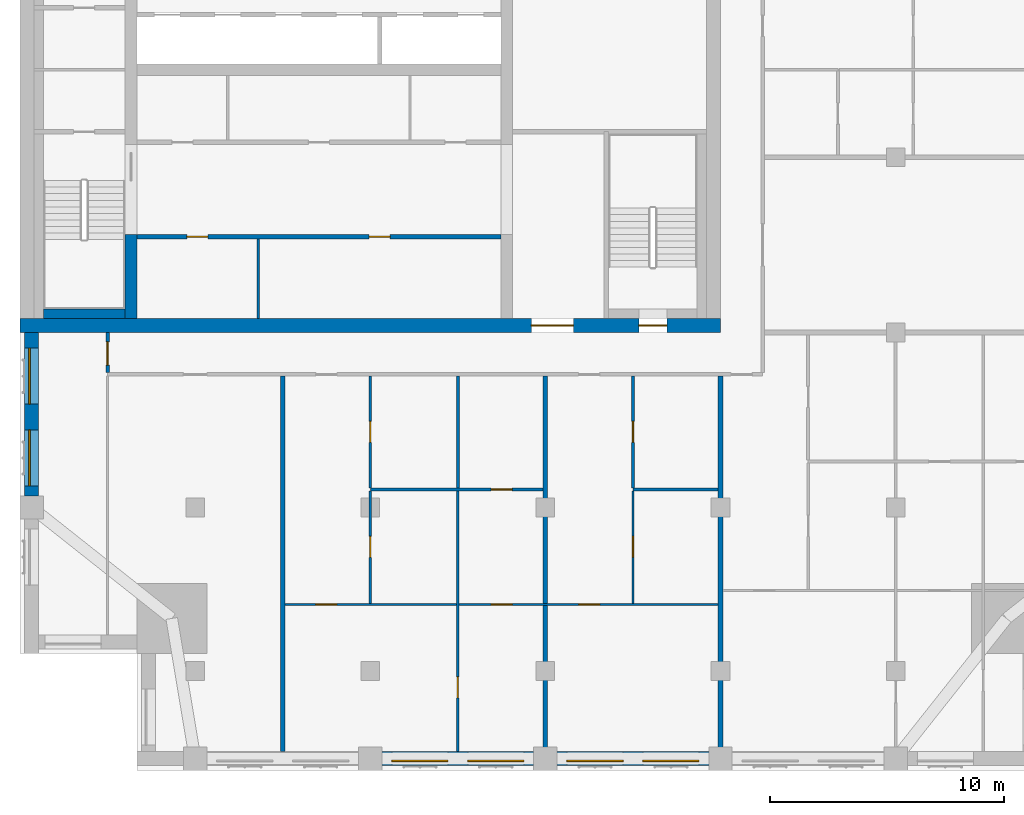
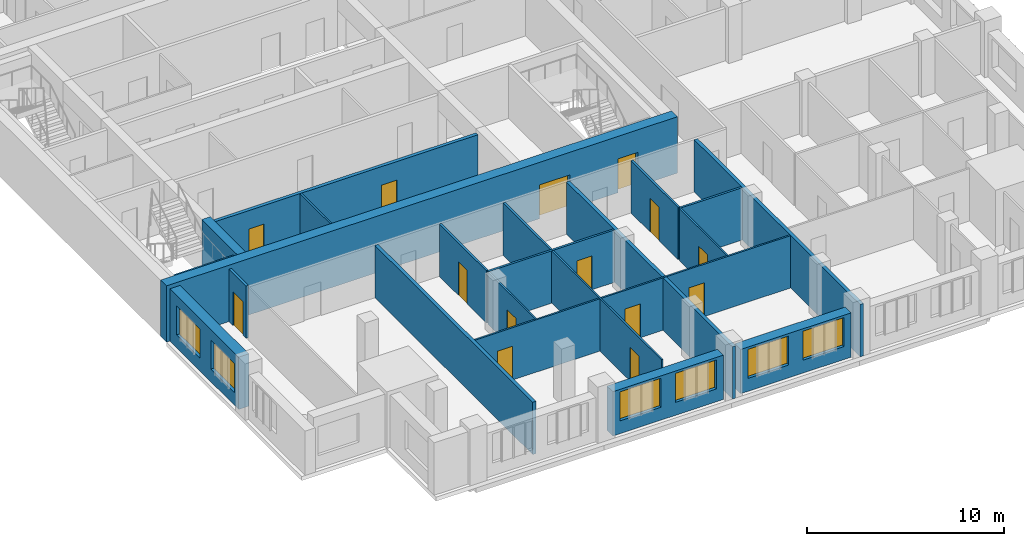
# One storey, part 3 of 11: 21 walls, 14 doors, 6 windows, 20 openings.
"""IFC4 building model written with IfcOpenShell, lengths in metres."""

from ifc_helpers import new_model, si_unit, direction, frame, frame_2d, origin, place, context, subcontext, project, spatial, rectangle, extrude, material, layer, layer_set, type_object, element, fill, save


model = new_model("IFC4")

# Units and contexts
model_context = context("Model", 3, precision=1e-05, world=origin(), true_north=direction((0.0, 1.0)))
body_context = subcontext(model_context, "Body", "Model", "MODEL_VIEW")
ifc_project = project(units=[si_unit("LENGTHUNIT", "METRE"), si_unit("AREAUNIT", "SQUARE_METRE"), si_unit("VOLUMEUNIT", "CUBIC_METRE"), si_unit("PLANEANGLEUNIT", "RADIAN"), si_unit("MASSUNIT", "GRAM", prefix="KILO")], contexts=[model_context])

# Site, building, storey
site_placement = place(None, origin())
site = spatial("IfcSite", under=ifc_project, at=site_placement, CompositionType="ELEMENT")
building_placement = place(site_placement, origin())
building = spatial("IfcBuilding", under=site, at=building_placement, Name="Tamorin Gate", CompositionType="ELEMENT")
storey_placement = place(building_placement, frame((0.0, 0.0, 247.699951171875)))
storey = spatial("IfcBuildingStorey", under=building, at=storey_placement, Name="L62", CompositionType="ELEMENT", Elevation=247.699951171875)

# Wall, openings, windows
ifc_material_1 = material(Name="Precast concrete C40/50", Category="concrete")
ifc_layer_1 = layer(ifc_material_1, 0.60009765625)
ifc_layer_set_1 = layer_set([ifc_layer_1], Name="Precast concrete C40/50")
wall_type_1 = type_object("IfcWallType", Name="Board-marked concrete facade panel 600", PredefinedType="SOLIDWALL", material=ifc_layer_set_1)
wall_1_placement = place(storey_placement, frame((45.5, 41.75, 0.0), z_axis=(0.0, 0.0, 1.0), x_axis=(1.0, 0.0, 0.0)))
wall_1 = element("IfcWall", 1, at=wall_1_placement, inside=storey, type_object=wall_type_1, Name="Facade panel", PredefinedType="SOLIDWALL", context=body_context, shape_type="SweptSolid", body=[
    extrude(rectangle(XDim=6.5, YDim=0.60009765625, at=frame_2d((3.25, 0.0))), origin(), (0.0, 0.0, 1.0), 2.75),
])
opening_1_placement = place(wall_1_placement, frame((0.425048828125, 0.0, 0.800048828125)))
opening_1 = element("IfcOpeningElement", 2, at=opening_1_placement, cuts=wall_1, Name="Opening WN1", PredefinedType="OPENING", context=body_context, shape_type="SweptSolid", body=[
    extrude(rectangle(XDim=2.39990234375, YDim=1.800048828125, at=frame_2d((1.199951171875, 0.89990234375))), frame((0.0, 0.31005859375, 0.0), z_axis=(0.0, -1.0, 0.0), x_axis=(1.0, 0.0, 0.0)), (0.0, 0.0, 1.0), 0.6201171875),
])
opening_2_placement = place(wall_1_placement, frame((3.675048828125, 0.0, 0.800048828125)))
opening_2 = element("IfcOpeningElement", 3, at=opening_2_placement, cuts=wall_1, Name="Opening WN1", PredefinedType="OPENING", context=body_context, shape_type="SweptSolid", body=[
    extrude(rectangle(XDim=2.39990234375, YDim=1.800048828125, at=frame_2d((1.199951171875, 0.89990234375))), frame((0.0, 0.31005859375, 0.0), z_axis=(0.0, -1.0, 0.0), x_axis=(1.0, 0.0, 0.0)), (0.0, 0.0, 1.0), 0.6201171875),
])
ifc_material_2 = material(Name="Clear glass in aluminium frame", Category="aluminium")
window_type = type_object("IfcWindowType", Name="Deep-set window 2400x1800", PartitioningType="SINGLE_PANEL", PredefinedType="WINDOW", material=ifc_material_2)
window_1_placement = place(opening_1_placement, origin())
window_1 = element("IfcWindow", 4, at=window_1_placement, inside=storey, type_object=window_type, Name="Deep-set window", OverallHeight=1.800048828125, OverallWidth=2.39990234375, PartitioningType="SINGLE_PANEL", PredefinedType="WINDOW", context=body_context, shape_type="SweptSolid", body=[
    extrude(rectangle(XDim=2.39990234375, YDim=1.800048828125, at=frame_2d((1.199951171875, 0.89990234375))), frame((0.0, -0.070068359375, 0.0), z_axis=(0.0, -1.0, 0.0), x_axis=(1.0, 0.0, 0.0)), (0.0, 0.0, 1.0), 0.06005859375),
])
fill(opening_1, window_1)
window_2_placement = place(opening_2_placement, origin())
window_2 = element("IfcWindow", 5, at=window_2_placement, inside=storey, type_object=window_type, Name="Deep-set window", OverallHeight=1.800048828125, OverallWidth=2.39990234375, PartitioningType="SINGLE_PANEL", PredefinedType="WINDOW", context=body_context, shape_type="SweptSolid", body=[
    extrude(rectangle(XDim=2.39990234375, YDim=1.800048828125, at=frame_2d((1.199951171875, 0.89990234375))), frame((0.0, -0.070068359375, 0.0), z_axis=(0.0, -1.0, 0.0), x_axis=(1.0, 0.0, 0.0)), (0.0, 0.0, 1.0), 0.06005859375),
])
fill(opening_2, window_2)

wall_2_placement = place(storey_placement, frame((53.0, 41.75, 0.0), z_axis=(0.0, 0.0, 1.0), x_axis=(1.0, 0.0, 0.0)))
wall_2 = element("IfcWall", 6, at=wall_2_placement, inside=storey, type_object=wall_type_1, Name="Facade panel", PredefinedType="SOLIDWALL", context=body_context, shape_type="SweptSolid", body=[
    extrude(rectangle(XDim=6.5, YDim=0.60009765625, at=frame_2d((3.25, 0.0))), origin(), (0.0, 0.0, 1.0), 2.75),
])
opening_3_placement = place(wall_2_placement, frame((0.425048828125, 0.0, 0.800048828125)))
opening_3 = element("IfcOpeningElement", 7, at=opening_3_placement, cuts=wall_2, Name="Opening WN1", PredefinedType="OPENING", context=body_context, shape_type="SweptSolid", body=[
    extrude(rectangle(XDim=2.39990234375, YDim=1.800048828125, at=frame_2d((1.199951171875, 0.89990234375))), frame((0.0, 0.31005859375, 0.0), z_axis=(0.0, -1.0, 0.0), x_axis=(1.0, 0.0, 0.0)), (0.0, 0.0, 1.0), 0.6201171875),
])
opening_4_placement = place(wall_2_placement, frame((3.675048828125, 0.0, 0.800048828125)))
opening_4 = element("IfcOpeningElement", 8, at=opening_4_placement, cuts=wall_2, Name="Opening WN1", PredefinedType="OPENING", context=body_context, shape_type="SweptSolid", body=[
    extrude(rectangle(XDim=2.39990234375, YDim=1.800048828125, at=frame_2d((1.199951171875, 0.89990234375))), frame((0.0, 0.31005859375, 0.0), z_axis=(0.0, -1.0, 0.0), x_axis=(1.0, 0.0, 0.0)), (0.0, 0.0, 1.0), 0.6201171875),
])
window_3_placement = place(opening_3_placement, origin())
window_3 = element("IfcWindow", 9, at=window_3_placement, inside=storey, type_object=window_type, Name="Deep-set window", OverallHeight=1.800048828125, OverallWidth=2.39990234375, PartitioningType="SINGLE_PANEL", PredefinedType="WINDOW", context=body_context, shape_type="SweptSolid", body=[
    extrude(rectangle(XDim=2.39990234375, YDim=1.800048828125, at=frame_2d((1.199951171875, 0.89990234375))), frame((0.0, -0.070068359375, 0.0), z_axis=(0.0, -1.0, 0.0), x_axis=(1.0, 0.0, 0.0)), (0.0, 0.0, 1.0), 0.06005859375),
])
fill(opening_3, window_3)
window_4_placement = place(opening_4_placement, origin())
window_4 = element("IfcWindow", 10, at=window_4_placement, inside=storey, type_object=window_type, Name="Deep-set window", OverallHeight=1.800048828125, OverallWidth=2.39990234375, PartitioningType="SINGLE_PANEL", PredefinedType="WINDOW", context=body_context, shape_type="SweptSolid", body=[
    extrude(rectangle(XDim=2.39990234375, YDim=1.800048828125, at=frame_2d((1.199951171875, 0.89990234375))), frame((0.0, -0.070068359375, 0.0), z_axis=(0.0, -1.0, 0.0), x_axis=(1.0, 0.0, 0.0)), (0.0, 0.0, 1.0), 0.06005859375),
])
fill(opening_4, window_4)

wall_3_placement = place(storey_placement, frame((30.5, 60.0, 0.0), z_axis=(0.0, 0.0, 1.0), x_axis=(0.0, -1.0, 0.0)))
wall_3 = element("IfcWall", 11, at=wall_3_placement, inside=storey, type_object=wall_type_1, Name="Facade panel", PredefinedType="SOLIDWALL", context=body_context, shape_type="SweptSolid", body=[
    extrude(rectangle(XDim=7.0, YDim=0.60009765625, at=frame_2d((3.5, 0.0))), origin(), (0.0, 0.0, 1.0), 3.25),
])
opening_5_placement = place(wall_3_placement, frame((4.175048828125, 0.0, 0.800048828125)))
opening_5 = element("IfcOpeningElement", 12, at=opening_5_placement, cuts=wall_3, Name="Opening WN1", PredefinedType="OPENING", context=body_context, shape_type="SweptSolid", body=[
    extrude(rectangle(XDim=2.39990234375, YDim=1.800048828125, at=frame_2d((1.199951171875, 0.89990234375))), frame((0.0, 0.31005859375, 0.0), z_axis=(0.0, -1.0, 0.0), x_axis=(1.0, 0.0, 0.0)), (0.0, 0.0, 1.0), 0.6201171875),
])
opening_6_placement = place(wall_3_placement, frame((0.675048828125, 0.0, 0.800048828125)))
opening_6 = element("IfcOpeningElement", 13, at=opening_6_placement, cuts=wall_3, Name="Opening WN1", PredefinedType="OPENING", context=body_context, shape_type="SweptSolid", body=[
    extrude(rectangle(XDim=2.39990234375, YDim=1.800048828125, at=frame_2d((1.199951171875, 0.89990234375))), frame((0.0, 0.31005859375, 0.0), z_axis=(0.0, -1.0, 0.0), x_axis=(1.0, 0.0, 0.0)), (0.0, 0.0, 1.0), 0.6201171875),
])
window_5_placement = place(opening_5_placement, origin())
window_5 = element("IfcWindow", 14, at=window_5_placement, inside=storey, type_object=window_type, Name="Deep-set window", OverallHeight=1.800048828125, OverallWidth=2.39990234375, PartitioningType="SINGLE_PANEL", PredefinedType="WINDOW", context=body_context, shape_type="SweptSolid", body=[
    extrude(rectangle(XDim=2.39990234375, YDim=1.800048828125, at=frame_2d((1.199951171875, 0.89990234375))), frame((0.0, -0.070068359375, 0.0), z_axis=(0.0, -1.0, 0.0), x_axis=(1.0, 0.0, 0.0)), (0.0, 0.0, 1.0), 0.06005859375),
])
fill(opening_5, window_5)
window_6_placement = place(opening_6_placement, origin())
window_6 = element("IfcWindow", 15, at=window_6_placement, inside=storey, type_object=window_type, Name="Deep-set window", OverallHeight=1.800048828125, OverallWidth=2.39990234375, PartitioningType="SINGLE_PANEL", PredefinedType="WINDOW", context=body_context, shape_type="SweptSolid", body=[
    extrude(rectangle(XDim=2.39990234375, YDim=1.800048828125, at=frame_2d((1.199951171875, 0.89990234375))), frame((0.0, -0.070068359375, 0.0), z_axis=(0.0, -1.0, 0.0), x_axis=(1.0, 0.0, 0.0)), (0.0, 0.0, 1.0), 0.06005859375),
])
fill(opening_6, window_6)

# Wall, opening, door
ifc_material_3 = material(Name="Gypsum board partition")
ifc_layer_2 = layer(ifc_material_3, 0.14990234375)
ifc_layer_set_2 = layer_set([ifc_layer_2], Name="Corridor wall 150")
wall_type_2 = type_object("IfcWallType", Name="Corridor wall 150", PredefinedType="PARTITIONING", material=ifc_layer_set_2)
wall_4_placement = place(storey_placement, frame((33.75, 58.27490234375, 0.0), z_axis=(0.0, 0.0, 1.0), x_axis=(0.0, 1.0, 0.0)))
wall_4 = element("IfcWall", 16, at=wall_4_placement, inside=storey, type_object=wall_type_2, Name="Corridor wall 150", PredefinedType="PARTITIONING", context=body_context, shape_type="SweptSolid", body=[
    extrude(rectangle(XDim=1.72509765625, YDim=0.14990234375, at=frame_2d((0.862548828125, 0.0))), origin(), (0.0, 0.0, 1.0), 3.25),
])
opening_7_placement = place(wall_4_placement, frame((0.324951171875, 0.0, 0.0)))
opening_7 = element("IfcOpeningElement", 17, at=opening_7_placement, cuts=wall_4, Name="Opening DR8001", PredefinedType="OPENING", context=body_context, shape_type="SweptSolid", body=[
    extrude(rectangle(XDim=1.0, YDim=2.10009765625, at=frame_2d((0.5, 1.050048828125))), frame((0.0, 0.0849609375, 0.0), z_axis=(0.0, -1.0, 0.0), x_axis=(1.0, 0.0, 0.0)), (0.0, 0.0, 1.0), 0.169921875),
])
ifc_material_4 = material(Name="Timber door leaf", Category="wood")
door_type_1 = type_object("IfcDoorType", Name="Door 1000 x 2100 FD30S", OperationType="NOTDEFINED", PredefinedType="DOOR", material=ifc_material_4)
door_1_placement = place(opening_7_placement, origin())
door_1 = element("IfcDoor", 18, at=door_1_placement, inside=storey, type_object=door_type_1, Name="Door DR8001", OperationType="SINGLE_SWING_RIGHT", OverallHeight=2.10009765625, OverallWidth=1.0, PredefinedType="DOOR", context=body_context, shape_type="SweptSolid", body=[
    extrude(rectangle(XDim=1.0, YDim=2.10009765625, at=frame_2d((0.5, 1.050048828125))), frame((0.0, 0.02490234375, 0.0), z_axis=(0.0, -1.0, 0.0), x_axis=(1.0, 0.0, 0.0)), (0.0, 0.0, 1.0), 0.050048828125),
])
fill(opening_7, door_1)

# Walls
ifc_layer_3 = layer(ifc_material_3, 0.199951171875)
ifc_layer_set_3 = layer_set([ifc_layer_3], Name="Demising wall 200")
wall_type_3 = type_object("IfcWallType", Name="Demising wall 200", PredefinedType="PARTITIONING", material=ifc_layer_set_3)
wall_5_placement = place(storey_placement, frame((41.25, 42.06005859375, 0.0), z_axis=(0.0, 0.0, 1.0), x_axis=(0.0, 1.0, 0.0)))
element("IfcWall", 19, at=wall_5_placement, inside=storey, type_object=wall_type_3, Name="Demising wall 200", PredefinedType="PARTITIONING", context=body_context, shape_type="SweptSolid", body=[
    extrude(rectangle(XDim=16.06494140625, YDim=0.199951171875, at=frame_2d((8.032470703125, 0.0))), origin(), (0.0, 0.0, 1.0), 3.25),
])
for number, where, z_axis, x_axis, name in (
    (20, (52.5, 41.25, 0.0), (0.0, 0.0, 1.0), (0.0, 1.0, 0.0), "Demising wall 200"),
    (21, (60.0, 41.25, 0.0), (0.0, 0.0, 1.0), (0.0, 1.0, 0.0), "Demising wall 200"),
):
    element("IfcWall", number, at=place(storey_placement, frame(where, z_axis=z_axis, x_axis=x_axis)), inside=storey, type_object=wall_type_3, Name=name, PredefinedType="PARTITIONING", context=body_context, shape_type="SweptSolid", body=[
        extrude(rectangle(XDim=16.875, YDim=0.199951171875, at=frame_2d((8.4375, 0.0))), origin(), (0.0, 0.0, 1.0), 3.25),
    ])
ifc_material_5 = material(Name="Concrete C50/60", Category="concrete")
ifc_layer_4 = layer(ifc_material_5, 0.5)
ifc_layer_set_4 = layer_set([ifc_layer_4], Name="RC core internal wall 500 C50/60")
wall_type_4 = type_object("IfcWallType", Name="RC core internal wall 500 C50/60", PredefinedType="SHEAR", material=ifc_layer_set_4)
wall_6_placement = place(storey_placement, frame((34.75, 60.60009765625, 0.0), z_axis=(0.0, 0.0, 1.0), x_axis=(0.0, 1.0, 0.0)))
element("IfcWall", 22, at=wall_6_placement, inside=storey, type_object=wall_type_4, Name="Core cross wall L62", PredefinedType="SHEAR", context=body_context, shape_type="SweptSolid", body=[
    extrude(rectangle(XDim=3.599853515625, YDim=0.5, at=frame_2d((1.7998046875, 0.0))), origin(), (0.0, 0.0, 1.0), 3.5),
])

# Wall, openings, doors
ifc_layer_5 = layer(ifc_material_5, 0.60009765625)
ifc_layer_set_5 = layer_set([ifc_layer_5], Name="RC core wall 600 C50/60")
wall_type_5 = type_object("IfcWallType", Name="RC core wall 600 C50/60", PredefinedType="SHEAR", material=ifc_layer_set_5)
wall_7_placement = place(storey_placement, frame((30.0, 60.300048828125, 0.0), z_axis=(0.0, 0.0, 1.0), x_axis=(1.0, 0.0, 0.0)))
wall_7 = element("IfcWall", 23, at=wall_7_placement, inside=storey, type_object=wall_type_5, Name="Core wall L62", PredefinedType="SHEAR", context=body_context, shape_type="SweptSolid", body=[
    extrude(rectangle(XDim=30.0, YDim=0.60009765625, at=frame_2d((15.0, 0.0))), origin(), (0.0, 0.0, 1.0), 3.5),
])
opening_8_placement = place(wall_7_placement, frame((21.89990234375, 0.0, 0.0)))
opening_8 = element("IfcOpeningElement", 24, at=opening_8_placement, cuts=wall_7, Name="Opening DE1", PredefinedType="OPENING", context=body_context, shape_type="SweptSolid", body=[
    extrude(rectangle(XDim=1.800048828125, YDim=2.10009765625, at=frame_2d((0.89990234375, 1.050048828125))), frame((0.0, 0.31005859375, 0.0), z_axis=(0.0, -1.0, 0.0), x_axis=(1.0, 0.0, 0.0)), (0.0, 0.0, 1.0), 0.6201171875),
])
opening_9_placement = place(wall_7_placement, frame((26.5, 0.0, 0.0)))
opening_9 = element("IfcOpeningElement", 25, at=opening_9_placement, cuts=wall_7, Name="Opening DS1", PredefinedType="OPENING", context=body_context, shape_type="SweptSolid", body=[
    extrude(rectangle(XDim=1.199951171875, YDim=2.10009765625, at=frame_2d((0.60009765625, 1.050048828125))), frame((0.0, 0.31005859375, 0.0), z_axis=(0.0, -1.0, 0.0), x_axis=(1.0, 0.0, 0.0)), (0.0, 0.0, 1.0), 0.6201171875),
])
ifc_material_6 = material(Name="Steel fire door", Category="steel")
door_type_2 = type_object("IfcDoorType", Name="Lobby exit double door 1800 x 2100 EI 60", OperationType="DOUBLE_DOOR_SINGLE_SWING", PredefinedType="DOOR", material=ifc_material_6)
door_2_placement = place(opening_8_placement, origin())
door_2 = element("IfcDoor", 26, at=door_2_placement, inside=storey, type_object=door_type_2, Name="Lift lobby A exit door", OperationType="DOUBLE_DOOR_SINGLE_SWING", OverallHeight=2.10009765625, OverallWidth=1.800048828125, PredefinedType="DOOR", context=body_context, shape_type="SweptSolid", body=[
    extrude(rectangle(XDim=1.800048828125, YDim=2.10009765625, at=frame_2d((0.89990234375, 1.050048828125))), frame((0.0, 0.02490234375, 0.0), z_axis=(0.0, -1.0, 0.0), x_axis=(1.0, 0.0, 0.0)), (0.0, 0.0, 1.0), 0.050048828125),
])
fill(opening_8, door_2)
door_type_3 = type_object("IfcDoorType", Name="Stair door 1200 x 2100 EI 90", OperationType="SINGLE_SWING_LEFT", PredefinedType="DOOR", material=ifc_material_6)
door_3_placement = place(opening_9_placement, origin())
door_3 = element("IfcDoor", 27, at=door_3_placement, inside=storey, type_object=door_type_3, Name="ST3 door", OperationType="SINGLE_SWING_LEFT", OverallHeight=2.10009765625, OverallWidth=1.199951171875, PredefinedType="DOOR", context=body_context, shape_type="SweptSolid", body=[
    extrude(rectangle(XDim=1.199951171875, YDim=2.10009765625, at=frame_2d((0.60009765625, 1.050048828125))), frame((0.0, 0.02490234375, 0.0), z_axis=(0.0, -1.0, 0.0), x_axis=(1.0, 0.0, 0.0)), (0.0, 0.0, 1.0), 0.050048828125),
])
fill(opening_9, door_3)

ifc_layer_6 = layer(ifc_material_3, 0.10009765625)
ifc_layer_set_6 = layer_set([ifc_layer_6], Name="Room partition 100")
wall_type_6 = type_object("IfcWallType", Name="Room partition 100", PredefinedType="PARTITIONING", material=ifc_layer_set_6)
wall_8_placement = place(storey_placement, frame((41.35009765625, 48.35009765625, 0.0), z_axis=(0.0, 0.0, 1.0), x_axis=(1.0, 0.0, 0.0)))
wall_8 = element("IfcWall", 28, at=wall_8_placement, inside=storey, type_object=wall_type_6, Name="Room partition 100", PredefinedType="PARTITIONING", context=body_context, shape_type="SweptSolid", body=[
    extrude(rectangle(XDim=18.5498046875, YDim=0.10009765625, at=frame_2d((9.27490234375, 0.0))), origin(), (0.0, 0.0, 1.0), 3.25),
])
opening_10_placement = place(wall_8_placement, frame((1.324951171875, 0.0, 0.0)))
opening_10 = element("IfcOpeningElement", 29, at=opening_10_placement, cuts=wall_8, Name="Opening DR8004", PredefinedType="OPENING", context=body_context, shape_type="SweptSolid", body=[
    extrude(rectangle(XDim=0.89990234375, YDim=2.10009765625, at=frame_2d((0.449951171875, 1.050048828125))), frame((0.0, 0.06005859375, 0.0), z_axis=(0.0, -1.0, 0.0), x_axis=(1.0, 0.0, 0.0)), (0.0, 0.0, 1.0), 0.1201171875),
])
opening_11_placement = place(wall_8_placement, frame((8.824951171875, 0.0, 0.0)))
opening_11 = element("IfcOpeningElement", 30, at=opening_11_placement, cuts=wall_8, Name="Opening DR8007", PredefinedType="OPENING", context=body_context, shape_type="SweptSolid", body=[
    extrude(rectangle(XDim=0.89990234375, YDim=2.10009765625, at=frame_2d((0.449951171875, 1.050048828125))), frame((0.0, 0.06005859375, 0.0), z_axis=(0.0, -1.0, 0.0), x_axis=(1.0, 0.0, 0.0)), (0.0, 0.0, 1.0), 0.1201171875),
])
opening_12_placement = place(wall_8_placement, frame((12.574951171875, 0.0, 0.0)))
opening_12 = element("IfcOpeningElement", 31, at=opening_12_placement, cuts=wall_8, Name="Opening DR8011", PredefinedType="OPENING", context=body_context, shape_type="SweptSolid", body=[
    extrude(rectangle(XDim=0.89990234375, YDim=2.10009765625, at=frame_2d((0.449951171875, 1.050048828125))), frame((0.0, 0.06005859375, 0.0), z_axis=(0.0, -1.0, 0.0), x_axis=(1.0, 0.0, 0.0)), (0.0, 0.0, 1.0), 0.1201171875),
])
door_type_4 = type_object("IfcDoorType", Name="Door 900 x 2100", OperationType="NOTDEFINED", PredefinedType="DOOR", material=ifc_material_4)
door_4_placement = place(opening_10_placement, origin())
door_4 = element("IfcDoor", 32, at=door_4_placement, inside=storey, type_object=door_type_4, Name="Door DR8004", OperationType="SINGLE_SWING_LEFT", OverallHeight=2.10009765625, OverallWidth=0.89990234375, PredefinedType="DOOR", context=body_context, shape_type="SweptSolid", body=[
    extrude(rectangle(XDim=0.89990234375, YDim=2.10009765625, at=frame_2d((0.449951171875, 1.050048828125))), frame((0.0, 0.02490234375, 0.0), z_axis=(0.0, -1.0, 0.0), x_axis=(1.0, 0.0, 0.0)), (0.0, 0.0, 1.0), 0.050048828125),
])
fill(opening_10, door_4)
door_5_placement = place(opening_11_placement, origin())
door_5 = element("IfcDoor", 33, at=door_5_placement, inside=storey, type_object=door_type_4, Name="Door DR8007", OperationType="SINGLE_SWING_LEFT", OverallHeight=2.10009765625, OverallWidth=0.89990234375, PredefinedType="DOOR", context=body_context, shape_type="SweptSolid", body=[
    extrude(rectangle(XDim=0.89990234375, YDim=2.10009765625, at=frame_2d((0.449951171875, 1.050048828125))), frame((0.0, 0.02490234375, 0.0), z_axis=(0.0, -1.0, 0.0), x_axis=(1.0, 0.0, 0.0)), (0.0, 0.0, 1.0), 0.050048828125),
])
fill(opening_11, door_5)
door_6_placement = place(opening_12_placement, origin())
door_6 = element("IfcDoor", 34, at=door_6_placement, inside=storey, type_object=door_type_4, Name="Door DR8011", OperationType="SINGLE_SWING_LEFT", OverallHeight=2.10009765625, OverallWidth=0.89990234375, PredefinedType="DOOR", context=body_context, shape_type="SweptSolid", body=[
    extrude(rectangle(XDim=0.89990234375, YDim=2.10009765625, at=frame_2d((0.449951171875, 1.050048828125))), frame((0.0, 0.02490234375, 0.0), z_axis=(0.0, -1.0, 0.0), x_axis=(1.0, 0.0, 0.0)), (0.0, 0.0, 1.0), 0.050048828125),
])
fill(opening_12, door_6)

# Wall, opening, door
wall_9_placement = place(storey_placement, frame((45.0, 48.39990234375, 0.0), z_axis=(0.0, 0.0, 1.0), x_axis=(0.0, 1.0, 0.0)))
wall_9 = element("IfcWall", 35, at=wall_9_placement, inside=storey, type_object=wall_type_6, Name="Room partition 100", PredefinedType="PARTITIONING", context=body_context, shape_type="SweptSolid", body=[
    extrude(rectangle(XDim=4.8125, YDim=0.10009765625, at=frame_2d((2.40625, 0.0))), origin(), (0.0, 0.0, 1.0), 3.25),
])
opening_13_placement = place(wall_9_placement, frame((1.96240234375, 0.0, 0.0)))
opening_13 = element("IfcOpeningElement", 36, at=opening_13_placement, cuts=wall_9, Name="Opening DR8005", PredefinedType="OPENING", context=body_context, shape_type="SweptSolid", body=[
    extrude(rectangle(XDim=0.89990234375, YDim=2.10009765625, at=frame_2d((0.449951171875, 1.050048828125))), frame((0.0, 0.06005859375, 0.0), z_axis=(0.0, -1.0, 0.0), x_axis=(1.0, 0.0, 0.0)), (0.0, 0.0, 1.0), 0.1201171875),
])
door_7_placement = place(opening_13_placement, origin())
door_7 = element("IfcDoor", 37, at=door_7_placement, inside=storey, type_object=door_type_4, Name="Door DR8005", OperationType="SINGLE_SWING_LEFT", OverallHeight=2.10009765625, OverallWidth=0.89990234375, PredefinedType="DOOR", context=body_context, shape_type="SweptSolid", body=[
    extrude(rectangle(XDim=0.89990234375, YDim=2.10009765625, at=frame_2d((0.449951171875, 1.050048828125))), frame((0.0, 0.02490234375, 0.0), z_axis=(0.0, -1.0, 0.0), x_axis=(1.0, 0.0, 0.0)), (0.0, 0.0, 1.0), 0.050048828125),
])
fill(opening_13, door_7)

wall_10_placement = place(storey_placement, frame((48.75, 42.06005859375, 0.0), z_axis=(0.0, 0.0, 1.0), x_axis=(0.0, 1.0, 0.0)))
wall_10 = element("IfcWall", 38, at=wall_10_placement, inside=storey, type_object=wall_type_6, Name="Room partition 100", PredefinedType="PARTITIONING", context=body_context, shape_type="SweptSolid", body=[
    extrude(rectangle(XDim=11.15234375, YDim=0.10009765625, at=frame_2d((5.576171875, 0.0))), origin(), (0.0, 0.0, 1.0), 3.25),
])
opening_14_placement = place(wall_10_placement, frame((2.2900390625, 0.0, 0.0)))
opening_14 = element("IfcOpeningElement", 39, at=opening_14_placement, cuts=wall_10, Name="Opening DR8009", PredefinedType="OPENING", context=body_context, shape_type="SweptSolid", body=[
    extrude(rectangle(XDim=0.89990234375, YDim=2.10009765625, at=frame_2d((0.449951171875, 1.050048828125))), frame((0.0, 0.06005859375, 0.0), z_axis=(0.0, -1.0, 0.0), x_axis=(1.0, 0.0, 0.0)), (0.0, 0.0, 1.0), 0.1201171875),
])
door_8_placement = place(opening_14_placement, origin())
door_8 = element("IfcDoor", 40, at=door_8_placement, inside=storey, type_object=door_type_4, Name="Door DR8009", OperationType="SINGLE_SWING_LEFT", OverallHeight=2.10009765625, OverallWidth=0.89990234375, PredefinedType="DOOR", context=body_context, shape_type="SweptSolid", body=[
    extrude(rectangle(XDim=0.89990234375, YDim=2.10009765625, at=frame_2d((0.449951171875, 1.050048828125))), frame((0.0, 0.02490234375, 0.0), z_axis=(0.0, -1.0, 0.0), x_axis=(1.0, 0.0, 0.0)), (0.0, 0.0, 1.0), 0.050048828125),
])
fill(opening_14, door_8)

wall_11_placement = place(storey_placement, frame((56.25, 48.39990234375, 0.0), z_axis=(0.0, 0.0, 1.0), x_axis=(0.0, 1.0, 0.0)))
wall_11 = element("IfcWall", 41, at=wall_11_placement, inside=storey, type_object=wall_type_6, Name="Room partition 100", PredefinedType="PARTITIONING", context=body_context, shape_type="SweptSolid", body=[
    extrude(rectangle(XDim=4.8125, YDim=0.10009765625, at=frame_2d((2.40625, 0.0))), origin(), (0.0, 0.0, 1.0), 3.25),
])
opening_15_placement = place(wall_11_placement, frame((1.96240234375, 0.0, 0.0)))
opening_15 = element("IfcOpeningElement", 42, at=opening_15_placement, cuts=wall_11, Name="Opening DR8012", PredefinedType="OPENING", context=body_context, shape_type="SweptSolid", body=[
    extrude(rectangle(XDim=0.89990234375, YDim=2.10009765625, at=frame_2d((0.449951171875, 1.050048828125))), frame((0.0, 0.06005859375, 0.0), z_axis=(0.0, -1.0, 0.0), x_axis=(1.0, 0.0, 0.0)), (0.0, 0.0, 1.0), 0.1201171875),
])
door_9_placement = place(opening_15_placement, origin())
door_9 = element("IfcDoor", 43, at=door_9_placement, inside=storey, type_object=door_type_4, Name="Door DR8012", OperationType="SINGLE_SWING_LEFT", OverallHeight=2.10009765625, OverallWidth=0.89990234375, PredefinedType="DOOR", context=body_context, shape_type="SweptSolid", body=[
    extrude(rectangle(XDim=0.89990234375, YDim=2.10009765625, at=frame_2d((0.449951171875, 1.050048828125))), frame((0.0, 0.02490234375, 0.0), z_axis=(0.0, -1.0, 0.0), x_axis=(1.0, 0.0, 0.0)), (0.0, 0.0, 1.0), 0.050048828125),
])
fill(opening_15, door_9)

# Wall, openings, doors
ifc_layer_7 = layer(ifc_material_3, 0.199951171875)
ifc_layer_set_7 = layer_set([ifc_layer_7], Name="Service room face wall 200 EI 60")
wall_type_7 = type_object("IfcWallType", Name="Service room face wall 200 EI 60", PredefinedType="PARTITIONING", material=ifc_layer_set_7)
wall_12_placement = place(storey_placement, frame((35.0, 64.10009765625, 0.0), z_axis=(0.0, 0.0, 1.0), x_axis=(1.0, 0.0, 0.0)))
wall_12 = element("IfcWall", 44, at=wall_12_placement, inside=storey, type_object=wall_type_7, Name="Service room face wall", PredefinedType="PARTITIONING", context=body_context, shape_type="SweptSolid", body=[
    extrude(rectangle(XDim=15.60009765625, YDim=0.199951171875, at=frame_2d((7.800048828125, 0.0))), origin(), (0.0, 0.0, 1.0), 3.25),
])
opening_16_placement = place(wall_12_placement, frame((2.14990234375, 0.0, 0.0)))
opening_16 = element("IfcOpeningElement", 45, at=opening_16_placement, cuts=wall_12, Name="Opening DK1", PredefinedType="OPENING", context=body_context, shape_type="SweptSolid", body=[
    extrude(rectangle(XDim=0.89990234375, YDim=2.10009765625, at=frame_2d((0.449951171875, 1.050048828125))), frame((0.0, 0.10986328125, 0.0), z_axis=(0.0, -1.0, 0.0), x_axis=(1.0, 0.0, 0.0)), (0.0, 0.0, 1.0), 0.219970703125),
])
opening_17_placement = place(wall_12_placement, frame((9.949951171875, 0.0, 0.0)))
opening_17 = element("IfcOpeningElement", 46, at=opening_17_placement, cuts=wall_12, Name="Opening DK1", PredefinedType="OPENING", context=body_context, shape_type="SweptSolid", body=[
    extrude(rectangle(XDim=0.89990234375, YDim=2.10009765625, at=frame_2d((0.449951171875, 1.050048828125))), frame((0.0, 0.10986328125, 0.0), z_axis=(0.0, -1.0, 0.0), x_axis=(1.0, 0.0, 0.0)), (0.0, 0.0, 1.0), 0.219970703125),
])
ifc_material_7 = material(Name="Timber fire door", Category="wood")
door_type_5 = type_object("IfcDoorType", Name="Service room door 900 x 2100 EI 60", OperationType="SINGLE_SWING_LEFT", PredefinedType="DOOR", material=ifc_material_7)
door_10_placement = place(opening_16_placement, origin())
door_10 = element("IfcDoor", 47, at=door_10_placement, inside=storey, type_object=door_type_5, Name="Door Cleaner's store", OperationType="SINGLE_SWING_RIGHT", OverallHeight=2.10009765625, OverallWidth=0.89990234375, PredefinedType="DOOR", context=body_context, shape_type="SweptSolid", body=[
    extrude(rectangle(XDim=0.89990234375, YDim=2.10009765625, at=frame_2d((0.449951171875, 1.050048828125))), frame((0.0, 0.02490234375, 0.0), z_axis=(0.0, -1.0, 0.0), x_axis=(1.0, 0.0, 0.0)), (0.0, 0.0, 1.0), 0.050048828125),
])
fill(opening_16, door_10)
door_11_placement = place(opening_17_placement, origin())
door_11 = element("IfcDoor", 48, at=door_11_placement, inside=storey, type_object=door_type_5, Name="Door Linen store", OperationType="SINGLE_SWING_LEFT", OverallHeight=2.10009765625, OverallWidth=0.89990234375, PredefinedType="DOOR", context=body_context, shape_type="SweptSolid", body=[
    extrude(rectangle(XDim=0.89990234375, YDim=2.10009765625, at=frame_2d((0.449951171875, 1.050048828125))), frame((0.0, 0.02490234375, 0.0), z_axis=(0.0, -1.0, 0.0), x_axis=(1.0, 0.0, 0.0)), (0.0, 0.0, 1.0), 0.050048828125),
])
fill(opening_17, door_11)

# Walls
ifc_layer_8 = layer(ifc_material_3, 0.10009765625)
ifc_layer_set_8 = layer_set([ifc_layer_8], Name="Service room partition 100 EI 60")
wall_type_8 = type_object("IfcWallType", Name="Service room partition 100 EI 60", PredefinedType="PARTITIONING", material=ifc_layer_set_8)
wall_13_placement = place(storey_placement, frame((40.199951171875, 60.60009765625, 0.0), z_axis=(0.0, 0.0, 1.0), x_axis=(0.0, 1.0, 0.0)))
element("IfcWall", 49, at=wall_13_placement, inside=storey, type_object=wall_type_8, Name="Service room partition", PredefinedType="PARTITIONING", context=body_context, shape_type="SweptSolid", body=[
    extrude(rectangle(XDim=3.39990234375, YDim=0.10009765625, at=frame_2d((1.699951171875, 0.0))), origin(), (0.0, 0.0, 1.0), 3.25),
])
ifc_layer_9 = layer(ifc_material_5, 0.39990234375)
ifc_layer_set_9 = layer_set([ifc_layer_9], Name="Stair lining wall 400 EI 120 C50/60")
wall_type_9 = type_object("IfcWallType", Name="Stair lining wall 400 EI 120 C50/60", PredefinedType="SOLIDWALL", material=ifc_layer_set_9)
wall_14_placement = place(storey_placement, frame((31.0, 60.800048828125, 0.0), z_axis=(0.0, 0.0, 1.0), x_axis=(1.0, 0.0, 0.0)))
element("IfcWall", 50, at=wall_14_placement, inside=storey, type_object=wall_type_9, Name="Stair lining wall", PredefinedType="SOLIDWALL", context=body_context, shape_type="SweptSolid", body=[
    extrude(rectangle(XDim=3.5, YDim=0.39990234375, at=frame_2d((1.75, 0.0))), origin(), (0.0, 0.0, 1.0), 3.25),
])

# Wall, opening, door
ifc_layer_10 = layer(ifc_material_3, 0.125)
ifc_layer_set_10 = layer_set([ifc_layer_10], Name="Wet wall 125")
wall_type_10 = type_object("IfcWallType", Name="Wet wall 125", PredefinedType="PARTITIONING", material=ifc_layer_set_10)
wall_15_placement = place(storey_placement, frame((45.0, 53.27490234375, 0.0), z_axis=(0.0, 0.0, 1.0), x_axis=(1.0, 0.0, 0.0)))
wall_15 = element("IfcWall", 51, at=wall_15_placement, inside=storey, type_object=wall_type_10, Name="Wet wall 125", PredefinedType="PARTITIONING", context=body_context, shape_type="SweptSolid", body=[
    extrude(rectangle(XDim=7.39990234375, YDim=0.125, at=frame_2d((3.699951171875, 0.0))), origin(), (0.0, 0.0, 1.0), 3.25),
])
opening_18_placement = place(wall_15_placement, frame((5.175048828125, 0.0, 0.0)))
opening_18 = element("IfcOpeningElement", 52, at=opening_18_placement, cuts=wall_15, Name="Opening DR8008", PredefinedType="OPENING", context=body_context, shape_type="SweptSolid", body=[
    extrude(rectangle(XDim=0.89990234375, YDim=2.10009765625, at=frame_2d((0.449951171875, 1.050048828125))), frame((0.0, 0.072509765625, 0.0), z_axis=(0.0, -1.0, 0.0), x_axis=(1.0, 0.0, 0.0)), (0.0, 0.0, 1.0), 0.14501953125),
])
door_12_placement = place(opening_18_placement, origin())
door_12 = element("IfcDoor", 53, at=door_12_placement, inside=storey, type_object=door_type_4, Name="Door DR8008", OperationType="SINGLE_SWING_LEFT", OverallHeight=2.10009765625, OverallWidth=0.89990234375, PredefinedType="DOOR", context=body_context, shape_type="SweptSolid", body=[
    extrude(rectangle(XDim=0.89990234375, YDim=2.10009765625, at=frame_2d((0.449951171875, 1.050048828125))), frame((0.0, 0.02490234375, 0.0), z_axis=(0.0, -1.0, 0.0), x_axis=(1.0, 0.0, 0.0)), (0.0, 0.0, 1.0), 0.050048828125),
])
fill(opening_18, door_12)

# Wall
wall_16_placement = place(storey_placement, frame((56.25, 53.27490234375, 0.0), z_axis=(0.0, 0.0, 1.0), x_axis=(1.0, 0.0, 0.0)))
element("IfcWall", 54, at=wall_16_placement, inside=storey, type_object=wall_type_10, Name="Wet wall 125", PredefinedType="PARTITIONING", context=body_context, shape_type="SweptSolid", body=[
    extrude(rectangle(XDim=3.64990234375, YDim=0.125, at=frame_2d((1.824951171875, 0.0))), origin(), (0.0, 0.0, 1.0), 3.25),
])

# Wall, opening, door
wall_17_placement = place(storey_placement, frame((45.0, 53.33740234375, 0.0), z_axis=(0.0, 0.0, 1.0), x_axis=(0.0, 1.0, 0.0)))
wall_17 = element("IfcWall", 55, at=wall_17_placement, inside=storey, type_object=wall_type_10, Name="Wet wall 125", PredefinedType="PARTITIONING", context=body_context, shape_type="SweptSolid", body=[
    extrude(rectangle(XDim=4.78759765625, YDim=0.125, at=frame_2d((2.393798828125, 0.0))), origin(), (0.0, 0.0, 1.0), 3.25),
])
opening_19_placement = place(wall_17_placement, frame((1.949951171875, 0.0, 0.0)))
opening_19 = element("IfcOpeningElement", 56, at=opening_19_placement, cuts=wall_17, Name="Opening DR8006", PredefinedType="OPENING", context=body_context, shape_type="SweptSolid", body=[
    extrude(rectangle(XDim=0.89990234375, YDim=2.10009765625, at=frame_2d((0.449951171875, 1.050048828125))), frame((0.0, 0.072509765625, 0.0), z_axis=(0.0, -1.0, 0.0), x_axis=(1.0, 0.0, 0.0)), (0.0, 0.0, 1.0), 0.14501953125),
])
door_13_placement = place(opening_19_placement, origin())
door_13 = element("IfcDoor", 57, at=door_13_placement, inside=storey, type_object=door_type_4, Name="Door DR8006", OperationType="SINGLE_SWING_RIGHT", OverallHeight=2.10009765625, OverallWidth=0.89990234375, PredefinedType="DOOR", context=body_context, shape_type="SweptSolid", body=[
    extrude(rectangle(XDim=0.89990234375, YDim=2.10009765625, at=frame_2d((0.449951171875, 1.050048828125))), frame((0.0, 0.02490234375, 0.0), z_axis=(0.0, -1.0, 0.0), x_axis=(1.0, 0.0, 0.0)), (0.0, 0.0, 1.0), 0.050048828125),
])
fill(opening_19, door_13)

# Wall
wall_18_placement = place(storey_placement, frame((48.75, 53.33740234375, 0.0), z_axis=(0.0, 0.0, 1.0), x_axis=(0.0, 1.0, 0.0)))
element("IfcWall", 58, at=wall_18_placement, inside=storey, type_object=wall_type_10, Name="Wet wall 125", PredefinedType="PARTITIONING", context=body_context, shape_type="SweptSolid", body=[
    extrude(rectangle(XDim=4.78759765625, YDim=0.125, at=frame_2d((2.393798828125, 0.0))), origin(), (0.0, 0.0, 1.0), 3.25),
])

# Wall, opening, door
wall_19_placement = place(storey_placement, frame((56.25, 53.33740234375, 0.0), z_axis=(0.0, 0.0, 1.0), x_axis=(0.0, 1.0, 0.0)))
wall_19 = element("IfcWall", 59, at=wall_19_placement, inside=storey, type_object=wall_type_10, Name="Wet wall 125", PredefinedType="PARTITIONING", context=body_context, shape_type="SweptSolid", body=[
    extrude(rectangle(XDim=4.78759765625, YDim=0.125, at=frame_2d((2.393798828125, 0.0))), origin(), (0.0, 0.0, 1.0), 3.25),
])
opening_20_placement = place(wall_19_placement, frame((1.949951171875, 0.0, 0.0)))
opening_20 = element("IfcOpeningElement", 60, at=opening_20_placement, cuts=wall_19, Name="Opening DR8013", PredefinedType="OPENING", context=body_context, shape_type="SweptSolid", body=[
    extrude(rectangle(XDim=0.89990234375, YDim=2.10009765625, at=frame_2d((0.449951171875, 1.050048828125))), frame((0.0, 0.072509765625, 0.0), z_axis=(0.0, -1.0, 0.0), x_axis=(1.0, 0.0, 0.0)), (0.0, 0.0, 1.0), 0.14501953125),
])
door_14_placement = place(opening_20_placement, origin())
door_14 = element("IfcDoor", 61, at=door_14_placement, inside=storey, type_object=door_type_4, Name="Door DR8013", OperationType="SINGLE_SWING_RIGHT", OverallHeight=2.10009765625, OverallWidth=0.89990234375, PredefinedType="DOOR", context=body_context, shape_type="SweptSolid", body=[
    extrude(rectangle(XDim=0.89990234375, YDim=2.10009765625, at=frame_2d((0.449951171875, 1.050048828125))), frame((0.0, 0.02490234375, 0.0), z_axis=(0.0, -1.0, 0.0), x_axis=(1.0, 0.0, 0.0)), (0.0, 0.0, 1.0), 0.050048828125),
])
fill(opening_20, door_14)

save(model, "model.ifc")
